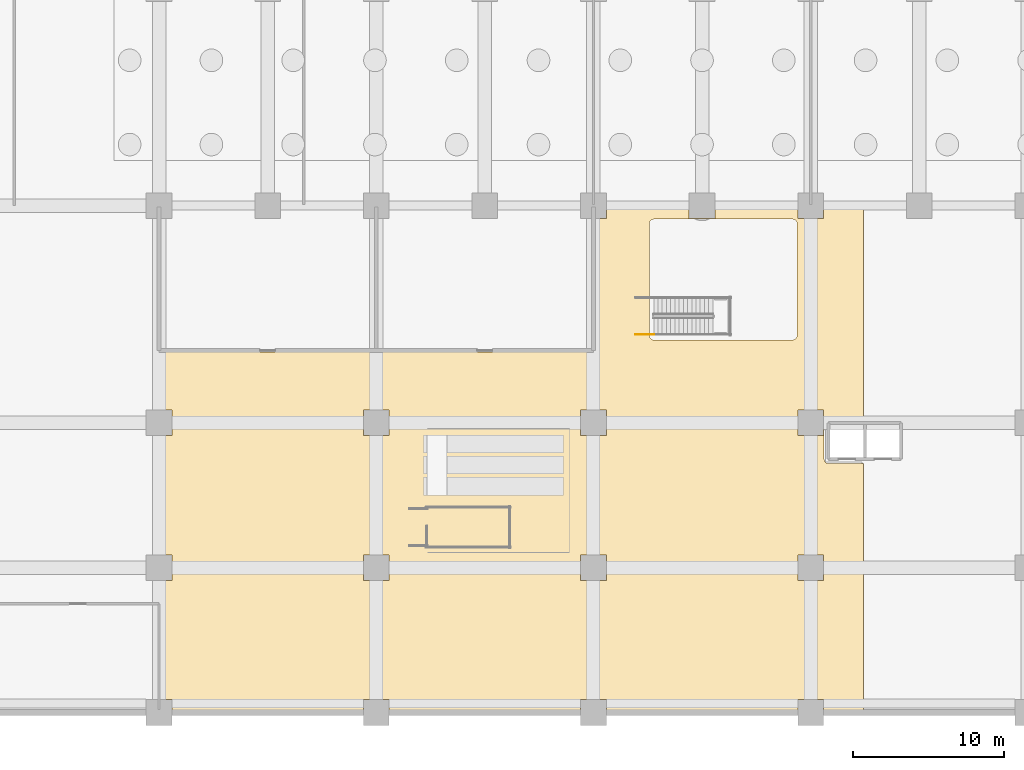
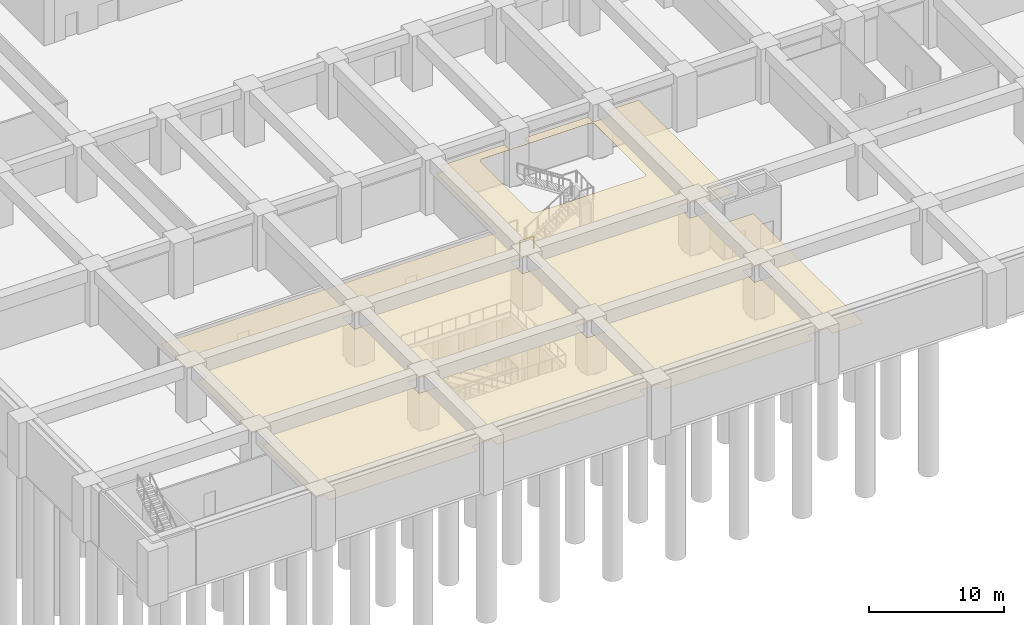
# One storey, part 13 of 20: 1 covering, 1 railing.
"""IFC4 building model written with IfcOpenShell, lengths in metres."""

from ifc_helpers import new_model, si_unit, direction, frame, origin, origin_2d, place, context, subcontext, project, spatial, polyline, circle, outline, extrude, material, layer, layer_set, type_object, element, save


model = new_model("IFC4")

# Units and contexts
model_context = context("Model", 3, precision=1e-05, world=origin(), true_north=direction((0.0, 1.0)))
body_context = subcontext(model_context, "Body", "Model", "MODEL_VIEW")
ifc_project = project(units=[si_unit("LENGTHUNIT", "METRE"), si_unit("AREAUNIT", "SQUARE_METRE"), si_unit("VOLUMEUNIT", "CUBIC_METRE"), si_unit("PLANEANGLEUNIT", "RADIAN"), si_unit("MASSUNIT", "GRAM", prefix="KILO")], contexts=[model_context])

# Site, building, storey
site_placement = place(None, origin())
site = spatial("IfcSite", under=ifc_project, at=site_placement, CompositionType="ELEMENT")
building_placement = place(site_placement, origin())
building = spatial("IfcBuilding", under=site, at=building_placement, Name="Saffron Iwan Residences", CompositionType="ELEMENT")
storey_placement = place(building_placement, frame((0.0, 0.0, -5.39990234375)))
storey = spatial("IfcBuildingStorey", under=building, at=storey_placement, Name="B1", CompositionType="ELEMENT", Elevation=-5.39990234375)

# Railing
ifc_material_1 = material(Name="Steel S355", Category="steel")
railing_type = type_object("IfcRailingType", Name="Podium stair guard 1150", PredefinedType="GUARDRAIL", material=ifc_material_1)
railing_placement = place(storey_placement, frame((46.0, 25.050048828125, 0.0)))
element("IfcRailing", 1, at=railing_placement, inside=storey, type_object=railing_type, Name="B1 SP1 stair guard 8", PredefinedType="GUARDRAIL", context=body_context, shape_type="SweptSolid", body=[
    extrude(circle(Radius=0.02392578125, at=origin_2d()), frame((0.0, 0.0, 1.1259765625), z_axis=(1.0, 0.0, 0.0), x_axis=(0.0, 1.0, 0.0)), (0.0, 0.0, 1.0), 1.199951171875),
    extrude(circle(Radius=0.02099609375, at=origin_2d()), origin(), (0.0, 0.0, 1.0), 1.101806640625),
    extrude(circle(Radius=0.02099609375, at=origin_2d()), frame((1.199951171875, 0.0, 0.0)), (0.0, 0.0, 1.0), 1.101806640625),
])

# Covering
ifc_material_2 = material(Name="Plasterboard ceiling")
ifc_layer = layer(ifc_material_2, 0.014892578125)
ifc_layer_set = layer_set([ifc_layer], Name="Plasterboard ceiling")
covering_type = type_object("IfcCoveringType", Name="Suspended ceiling, plasterboard 15", PredefinedType="CEILING", material=ifc_layer_set)
covering_placement = place(storey_placement, frame((0.0, 0.0, 3.48486328125)))
element("IfcCovering", 2, at=covering_placement, inside=storey, type_object=covering_type, Name="Gate line mezzanine ceiling", PredefinedType="CEILING", context=body_context, shape_type="SweptSolid", body=[
    extrude(outline(polyline([(15.25, 8.75), (15.25, 10.449951171875), (14.5, 10.449951171875), (14.5, 18.35009765625), (15.25, 18.35009765625), (15.25, 20.050048828125), (14.5, 20.050048828125), (14.5, 23.89990234375), (43.300048828125, 23.89990234375), (43.300048828125, 32.75), (44.050048828125, 32.75), (44.050048828125, 33.5), (49.550048828125, 33.5), (49.550048828125, 32.75), (51.25, 32.75), (51.25, 33.5), (56.75, 33.5), (56.75, 32.75), (58.449951171875, 32.75), (58.449951171875, 33.5), (61.10009765625, 33.5), (61.10009765625, 19.5), (58.800048828125, 19.5), (58.77099609375, 19.4990234375), (58.740966796875, 19.493896484375), (58.712890625, 19.487060546875), (58.68505859375, 19.47705078125), (58.658935546875, 19.465087890625), (58.633056640625, 19.448974609375), (58.610107421875, 19.431884765625), (58.587890625, 19.412109375), (58.568115234375, 19.389892578125), (58.551025390625, 19.366943359375), (58.534912109375, 19.341064453125), (58.52294921875, 19.31494140625), (58.512939453125, 19.287109375), (58.506103515625, 19.259033203125), (58.5009765625, 19.22900390625), (58.5, 19.199951171875), (58.5, 16.800048828125), (58.5009765625, 16.77099609375), (58.506103515625, 16.740966796875), (58.512939453125, 16.712890625), (58.52294921875, 16.68505859375), (58.534912109375, 16.658935546875), (58.551025390625, 16.633056640625), (58.568115234375, 16.610107421875), (58.587890625, 16.587890625), (58.610107421875, 16.568115234375), (58.633056640625, 16.551025390625), (58.658935546875, 16.534912109375), (58.68505859375, 16.52294921875), (58.712890625, 16.512939453125), (58.740966796875, 16.506103515625), (58.77099609375, 16.5009765625), (58.800048828125, 16.5), (61.10009765625, 16.5), (61.10009765625, 0.10009765625), (58.449951171875, 0.10009765625), (58.449951171875, 0.85009765625), (56.75, 0.85009765625), (56.75, 0.10009765625), (44.050048828125, 0.10009765625), (44.050048828125, 0.85009765625), (42.35009765625, 0.85009765625), (42.35009765625, 0.10009765625), (29.64990234375, 0.10009765625), (29.64990234375, 0.85009765625), (27.949951171875, 0.85009765625), (27.949951171875, 0.10009765625), (15.25, 0.10009765625), (15.25, 0.85009765625), (14.5, 0.85009765625), (14.5, 8.75), (15.25, 8.75)]), holes=[polyline([(29.64990234375, 8.75), (29.64990234375, 10.449951171875), (27.949951171875, 10.449951171875), (27.949951171875, 8.75), (29.64990234375, 8.75)]), polyline([(29.64990234375, 18.35009765625), (29.64990234375, 20.050048828125), (27.949951171875, 20.050048828125), (27.949951171875, 18.35009765625), (29.64990234375, 18.35009765625)]), polyline([(44.050048828125, 8.75), (44.050048828125, 10.449951171875), (42.35009765625, 10.449951171875), (42.35009765625, 8.75), (44.050048828125, 8.75)]), polyline([(58.449951171875, 8.75), (58.449951171875, 10.449951171875), (56.75, 10.449951171875), (56.75, 8.75), (58.449951171875, 8.75)]), polyline([(44.050048828125, 18.35009765625), (44.050048828125, 20.050048828125), (42.35009765625, 20.050048828125), (42.35009765625, 18.35009765625), (44.050048828125, 18.35009765625)]), polyline([(58.449951171875, 18.35009765625), (58.449951171875, 20.050048828125), (56.75, 20.050048828125), (56.75, 18.35009765625), (58.449951171875, 18.35009765625)]), polyline([(47.199951171875, 32.699951171875), (47.1708984375, 32.698974609375), (47.14208984375, 32.694091796875), (47.113037109375, 32.68701171875), (47.0859375, 32.677001953125), (47.05908203125, 32.6650390625), (47.033935546875, 32.64892578125), (47.010009765625, 32.632080078125), (46.988037109375, 32.612060546875), (46.968017578125, 32.590087890625), (46.950927734375, 32.56689453125), (46.93603515625, 32.541015625), (46.923095703125, 32.514892578125), (46.9130859375, 32.487060546875), (46.906005859375, 32.458984375), (46.902099609375, 32.428955078125), (46.89990234375, 32.39990234375), (46.89990234375, 25.0), (46.902099609375, 24.970947265625), (46.906005859375, 24.94091796875), (46.9130859375, 24.9130859375), (46.923095703125, 24.885009765625), (46.93603515625, 24.85888671875), (46.950927734375, 24.8330078125), (46.968017578125, 24.81005859375), (46.988037109375, 24.7880859375), (47.010009765625, 24.76806640625), (47.033935546875, 24.7509765625), (47.05908203125, 24.735107421875), (47.0859375, 24.722900390625), (47.113037109375, 24.712890625), (47.14208984375, 24.7060546875), (47.1708984375, 24.700927734375), (47.199951171875, 24.699951171875), (56.39990234375, 24.699951171875), (56.428955078125, 24.700927734375), (56.458984375, 24.7060546875), (56.487060546875, 24.712890625), (56.514892578125, 24.722900390625), (56.541015625, 24.735107421875), (56.56689453125, 24.7509765625), (56.590087890625, 24.76806640625), (56.612060546875, 24.7880859375), (56.632080078125, 24.81005859375), (56.64892578125, 24.8330078125), (56.6650390625, 24.85888671875), (56.677001953125, 24.885009765625), (56.68701171875, 24.9130859375), (56.694091796875, 24.94091796875), (56.698974609375, 24.970947265625), (56.699951171875, 25.0), (56.699951171875, 32.39990234375), (56.698974609375, 32.428955078125), (56.694091796875, 32.458984375), (56.68701171875, 32.487060546875), (56.677001953125, 32.514892578125), (56.6650390625, 32.541015625), (56.64892578125, 32.56689453125), (56.632080078125, 32.590087890625), (56.612060546875, 32.612060546875), (56.590087890625, 32.632080078125), (56.56689453125, 32.64892578125), (56.541015625, 32.6650390625), (56.514892578125, 32.677001953125), (56.487060546875, 32.68701171875), (56.458984375, 32.694091796875), (56.428955078125, 32.698974609375), (56.39990234375, 32.699951171875), (47.199951171875, 32.699951171875)])]), origin(), (0.0, 0.0, 1.0), 0.01513671875),
])

save(model, "model.ifc")
